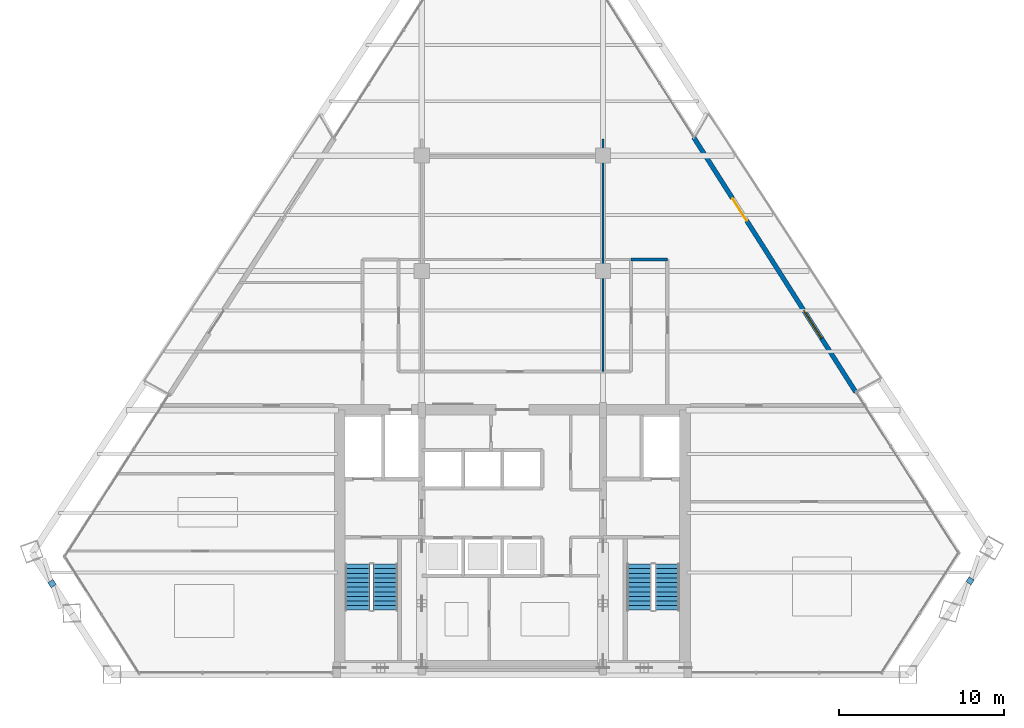
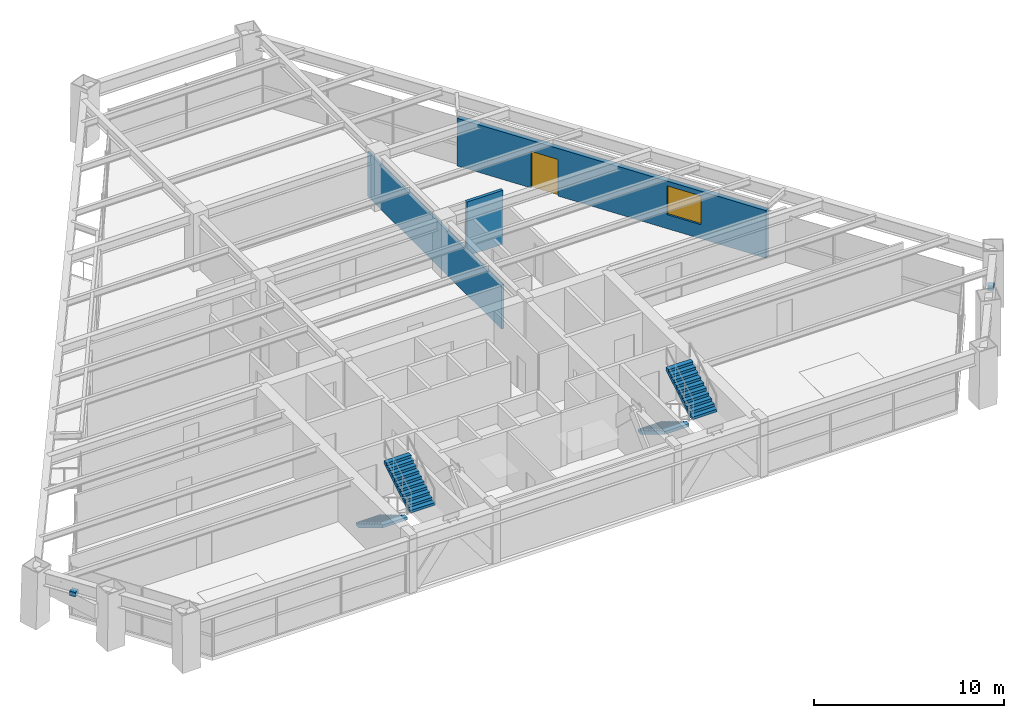
# One storey, part 13 of 16: 4 stair flights, 3 walls, 2 discrete accessories, 1 door, 1 window, 2 openings, 2 elements without a shape of their own.
"""IFC4 building model written with IfcOpenShell, lengths in metres."""

from ifc_helpers import new_model, si_unit, direction, frame, frame_2d, origin, origin_2d, place, context, subcontext, project, spatial, polyline, rectangle, outline, extrude, source, transform, mapped, material, layer, layer_set, type_object, type_shapes, element, fill, aggregate, save


model = new_model("IFC4")

# Units and contexts
model_context = context("Model", 3, precision=1e-05, world=origin(), true_north=direction((0.0, 1.0)))
body_context = subcontext(model_context, "Body", "Model", "MODEL_VIEW")
ifc_project = project(units=[si_unit("LENGTHUNIT", "METRE"), si_unit("AREAUNIT", "SQUARE_METRE"), si_unit("VOLUMEUNIT", "CUBIC_METRE"), si_unit("PLANEANGLEUNIT", "RADIAN"), si_unit("MASSUNIT", "GRAM", prefix="KILO")], contexts=[model_context])

# Site, building, storey
site_placement = place(None, origin())
site = spatial("IfcSite", under=ifc_project, at=site_placement, CompositionType="ELEMENT")
building_placement = place(site_placement, origin())
building = spatial("IfcBuilding", under=site, at=building_placement, Name="Varnakhor Terracotta Tower", CompositionType="ELEMENT")
storey_placement = place(building_placement, frame((0.0, 0.0, 151.5)))
storey = spatial("IfcBuildingStorey", under=building, at=storey_placement, Name="L38", CompositionType="ELEMENT", Elevation=151.5)

# Wall
ifc_material_1 = material(Name="Fire-Rated Gypsum Stud Partition", Category="gypsum")
ifc_layer_1 = layer(ifc_material_1, 0.18505859375, Name="Fire-Rated Gypsum Stud Partition")
ifc_layer_set_1 = layer_set([ifc_layer_1], Name="Fire-Rated Gypsum Stud Partition")
wall_type_1 = type_object("IfcWallType", Name="WAL-CORR-185", PredefinedType="PARTITIONING", material=ifc_layer_set_1)
wall_1_placement = place(storey_placement, frame((7.199951171875, 25.199951171875, 0.0), z_axis=(0.0, 0.0, 1.0), x_axis=(1.0, 0.0, 0.0)))
element("IfcWall", 1, at=wall_1_placement, inside=storey, type_object=wall_type_1, Name="L38 East Gallery North End", PredefinedType="PARTITIONING", context=body_context, shape_type="SweptSolid", body=[
    extrude(rectangle(XDim=2.199951171875, YDim=0.18505859375, at=frame_2d((1.10009765625, 0.0))), origin(), (0.0, 0.0, 1.0), 3.4619140625),
])

# Wall, openings, door, window
ifc_material_2 = material(Name="Extruded Architectural Terracotta Assembly", Category="masonry")
ifc_layer_2 = layer(ifc_material_2, 0.280029296875, Name="Extruded Architectural Terracotta Assembly")
ifc_layer_set_2 = layer_set([ifc_layer_2], Name="Extruded Architectural Terracotta Assembly")
wall_type_2 = type_object("IfcWallType", Name="WAL-EXT-TERRACOTTA-280", PredefinedType="SOLIDWALL", material=ifc_layer_set_2)
wall_2_placement = place(storey_placement, frame((11.00439453125, 32.607177734375, 0.0), z_axis=(0.0, 0.0, 1.0), x_axis=(0.536776323973, -0.843724586593, 0.0)))
wall_2 = element("IfcWall", 2, at=wall_2_placement, inside=storey, type_object=wall_type_2, Name="L38 E Loggia Insulated Terracotta Wall", PredefinedType="SOLIDWALL", context=body_context, shape_type="SweptSolid", body=[
    extrude(rectangle(XDim=18.320068359375, YDim=0.280029296875, at=frame_2d((9.16015625, 0.0))), origin(), (0.0, 0.0, 1.0), 3.050048828125),
])
opening_1_placement = place(wall_2_placement, frame((4.396728515625, 0.0, 0.0)))
opening_1 = element("IfcOpeningElement", 3, at=opening_1_placement, cuts=wall_2, Name="Opening DR-62", PredefinedType="OPENING", context=body_context, shape_type="SweptSolid", body=[
    extrude(rectangle(XDim=1.60009765625, YDim=2.35009765625, at=frame_2d((0.800048828125, 1.175048828125))), frame((0.0, 0.14990234375, 0.0), z_axis=(0.0, -1.0, 0.0), x_axis=(1.0, 0.0, 0.0)), (0.0, 0.0, 1.0), 0.300048828125),
])
opening_2_placement = place(wall_2_placement, frame((12.45751953125, 0.0, 0.89990234375)))
opening_2 = element("IfcOpeningElement", 4, at=opening_2_placement, cuts=wall_2, Name="Opening WN-26", PredefinedType="OPENING", context=body_context, shape_type="SweptSolid", body=[
    extrude(rectangle(XDim=2.0, YDim=1.85009765625, at=frame_2d((1.0, 0.925048828125))), frame((0.0, 0.14990234375, 0.0), z_axis=(0.0, -1.0, 0.0), x_axis=(1.0, 0.0, 0.0)), (0.0, 0.0, 1.0), 0.300048828125),
])
ifc_material_3 = material(Name="Thermally Broken Sliding Glass Loggia Door", Category="glass")
door_type = type_object("IfcDoorType", Name="DR-EXT-LOGGIA-1600X2350", OperationType="NOTDEFINED", PredefinedType="DOOR", material=ifc_material_3)
shared_shape_1 = source(origin(), body_context, "Body", "SweptSolid", [
    extrude(rectangle(XDim=1.60009765625, YDim=2.35009765625, at=frame_2d((0.800048828125, 1.175048828125))), frame((0.0, 0.02490234375, 0.0), z_axis=(0.0, -1.0, 0.0), x_axis=(1.0, 0.0, 0.0)), (0.0, 0.0, 1.0), 0.050048828125),
])
type_shapes(door_type, [shared_shape_1])
door_placement = place(opening_1_placement, origin())
door = element("IfcDoor", 5, at=door_placement, inside=storey, type_object=door_type, Name="L38 E Recessed Loggia Sliding Door", OperationType="SLIDING_TO_RIGHT", OverallHeight=2.35009765625, OverallWidth=1.60009765625, PredefinedType="DOOR", context=body_context, shape_type="MappedRepresentation", body=[
    mapped(shared_shape_1, transform((0.0, 0.0, 0.0), scale=1.0)),
])
fill(opening_1, door)
ifc_material_4 = material(Name="Solar-Control Low-E Insulated Glass Unit", Category="glass")
window_type = type_object("IfcWindowType", Name="WIN-OFF-2200X2100", PartitioningType="SINGLE_PANEL", PredefinedType="WINDOW", material=ifc_material_4)
shared_shape_2 = source(origin(), body_context, "Body", "SweptSolid", [
    extrude(rectangle(XDim=2.0, YDim=1.85009765625, at=frame_2d((1.0, 0.925048828125))), frame((0.0, 0.030029296875, 0.0), z_axis=(0.0, -1.0, 0.0), x_axis=(1.0, 0.0, 0.0)), (0.0, 0.0, 1.0), 0.06005859375),
])
type_shapes(window_type, [shared_shape_2])
window_placement = place(opening_2_placement, origin())
window = element("IfcWindow", 6, at=window_placement, inside=storey, type_object=window_type, Name="L38 E Facet Punched Window", OverallHeight=1.85009765625, OverallWidth=2.0, PartitioningType="SINGLE_PANEL", PredefinedType="WINDOW", context=body_context, shape_type="MappedRepresentation", body=[
    mapped(shared_shape_2, transform((0.0, 0.0, 0.0), scale=1.0)),
])
fill(opening_2, window)

# Wall
ifc_material_5 = material(Name="Acoustic Metal-Stud Partition", Category="gypsum")
ifc_layer_3 = layer(ifc_material_5, 0.139892578125, Name="Acoustic Metal-Stud Partition")
ifc_layer_set_3 = layer_set([ifc_layer_3], Name="Acoustic Metal-Stud Partition")
wall_type_3 = type_object("IfcWallType", Name="WAL-PART-140", PredefinedType="PARTITIONING", material=ifc_layer_set_3)
wall_3_placement = place(storey_placement, frame((5.5, 18.39990234375, 0.0), z_axis=(0.0, 0.0, 1.0), x_axis=(0.0, 1.0, 0.0)))
element("IfcWall", 7, at=wall_3_placement, inside=storey, type_object=wall_type_3, Name="L38 Center East Column Wall", PredefinedType="PARTITIONING", context=body_context, shape_type="SweptSolid", body=[
    extrude(rectangle(XDim=14.10009765625, YDim=0.139892578125, at=frame_2d((7.050048828125, 0.0))), origin(), (0.0, 0.0, 1.0), 2.845947265625),
])

# Stair, stair flights
ifc_material_6 = material(Name="Concrete C40/50", Category="concrete")
stair_type = type_object("IfcStairType", Name="STR-CORE-OFFICE-1500", PredefinedType="HALF_TURN_STAIR", material=ifc_material_6)
stair_1_placement = place(storey_placement, origin())
stair_1 = element("IfcStair", 8, at=stair_1_placement, inside=storey, type_object=stair_type, Name="L38 Core Exit Stair ST-1", PredefinedType="HALF_TURN_STAIR")
stair_flight_type = type_object("IfcStairFlightType", Name="FLT-CORE-1500", PredefinedType="STRAIGHT", material=ifc_material_6)
stair_flight_1_placement = place(storey_placement, frame((-9.39990234375, 6.7099609375, 0.0), z_axis=(0.0, 0.0, 1.0), x_axis=(0.0, -1.0, 0.0)))
stair_flight_1 = element("IfcStairFlight", 9, at=stair_flight_1_placement, type_object=stair_flight_type, Name="ST-1 flight 1", NumberOfRisers=11, NumberOfTreads=10, PredefinedType="STRAIGHT", RiserHeight=0.168181818, TreadLength=0.28, context=body_context, shape_type="SweptSolid", body=[
    extrude(outline(polyline([(0.0, 0.0), (0.0, 0.168212890625), (0.280029296875, 0.168212890625), (0.280029296875, 0.33642578125), (0.56005859375, 0.33642578125), (0.56005859375, 0.504638671875), (0.840087890625, 0.504638671875), (0.840087890625, 0.672607421875), (1.1201171875, 0.672607421875), (1.1201171875, 0.8408203125), (1.39990234375, 0.8408203125), (1.39990234375, 1.009033203125), (1.679931640625, 1.009033203125), (1.679931640625, 1.17724609375), (1.9599609375, 1.17724609375), (1.9599609375, 1.345458984375), (2.239990234375, 1.345458984375), (2.239990234375, 1.513671875), (2.52001953125, 1.513671875), (2.52001953125, 1.681884765625), (2.800048828125, 1.681884765625), (2.800048828125, 1.85009765625), (2.800048828125, 1.495361328125), (0.310546875, 0.0), (0.0, 0.0)])), frame((0.0, 0.75, 0.0), z_axis=(0.0, -1.0, 0.0), x_axis=(1.0, 0.0, 0.0)), (0.0, 0.0, 1.0), 1.5),
])
stair_flight_2_placement = place(storey_placement, frame((-7.699951171875, 3.909912109375, 1.85009765625), z_axis=(0.0, 0.0, 1.0), x_axis=(0.0, 1.0, 0.0)))
stair_flight_2 = element("IfcStairFlight", 10, at=stair_flight_2_placement, type_object=stair_flight_type, Name="ST-1 flight 2", NumberOfRisers=11, NumberOfTreads=10, PredefinedType="STRAIGHT", RiserHeight=0.168181818, TreadLength=0.28, context=body_context, shape_type="SweptSolid", body=[
    extrude(outline(polyline([(0.0, 0.0), (0.0, 0.168212890625), (0.280029296875, 0.168212890625), (0.280029296875, 0.33642578125), (0.56005859375, 0.33642578125), (0.56005859375, 0.504638671875), (0.840087890625, 0.504638671875), (0.840087890625, 0.672607421875), (1.1201171875, 0.672607421875), (1.1201171875, 0.8408203125), (1.39990234375, 0.8408203125), (1.39990234375, 1.009033203125), (1.679931640625, 1.009033203125), (1.679931640625, 1.17724609375), (1.9599609375, 1.17724609375), (1.9599609375, 1.345458984375), (2.239990234375, 1.345458984375), (2.239990234375, 1.513671875), (2.52001953125, 1.513671875), (2.52001953125, 1.681884765625), (2.800048828125, 1.681884765625), (2.800048828125, 1.85009765625), (2.800048828125, 1.495361328125), (0.310546875, 0.0), (0.0, 0.0)])), frame((0.0, 0.75, 0.0), z_axis=(0.0, -1.0, 0.0), x_axis=(1.0, 0.0, 0.0)), (0.0, 0.0, 1.0), 1.5),
])
aggregate(stair_1, [stair_flight_1, stair_flight_2])

stair_2_placement = place(storey_placement, origin())
stair_2 = element("IfcStair", 11, at=stair_2_placement, inside=storey, type_object=stair_type, Name="L38 Core Exit Stair ST-2", PredefinedType="HALF_TURN_STAIR")
stair_flight_3_placement = place(storey_placement, frame((7.699951171875, 6.7099609375, 0.0), z_axis=(0.0, 0.0, 1.0), x_axis=(0.0, -1.0, 0.0)))
stair_flight_3 = element("IfcStairFlight", 12, at=stair_flight_3_placement, type_object=stair_flight_type, Name="ST-2 flight 1", NumberOfRisers=11, NumberOfTreads=10, PredefinedType="STRAIGHT", RiserHeight=0.168181818, TreadLength=0.28, context=body_context, shape_type="SweptSolid", body=[
    extrude(outline(polyline([(0.0, 0.0), (0.0, 0.168212890625), (0.280029296875, 0.168212890625), (0.280029296875, 0.33642578125), (0.56005859375, 0.33642578125), (0.56005859375, 0.504638671875), (0.840087890625, 0.504638671875), (0.840087890625, 0.672607421875), (1.1201171875, 0.672607421875), (1.1201171875, 0.8408203125), (1.39990234375, 0.8408203125), (1.39990234375, 1.009033203125), (1.679931640625, 1.009033203125), (1.679931640625, 1.17724609375), (1.9599609375, 1.17724609375), (1.9599609375, 1.345458984375), (2.239990234375, 1.345458984375), (2.239990234375, 1.513671875), (2.52001953125, 1.513671875), (2.52001953125, 1.681884765625), (2.800048828125, 1.681884765625), (2.800048828125, 1.85009765625), (2.800048828125, 1.495361328125), (0.310546875, 0.0), (0.0, 0.0)])), frame((0.0, 0.75, 0.0), z_axis=(0.0, -1.0, 0.0), x_axis=(1.0, 0.0, 0.0)), (0.0, 0.0, 1.0), 1.5),
])
stair_flight_4_placement = place(storey_placement, frame((9.39990234375, 3.909912109375, 1.85009765625), z_axis=(0.0, 0.0, 1.0), x_axis=(0.0, 1.0, 0.0)))
stair_flight_4 = element("IfcStairFlight", 13, at=stair_flight_4_placement, type_object=stair_flight_type, Name="ST-2 flight 2", NumberOfRisers=11, NumberOfTreads=10, PredefinedType="STRAIGHT", RiserHeight=0.168181818, TreadLength=0.28, context=body_context, shape_type="SweptSolid", body=[
    extrude(outline(polyline([(0.0, 0.0), (0.0, 0.168212890625), (0.280029296875, 0.168212890625), (0.280029296875, 0.33642578125), (0.56005859375, 0.33642578125), (0.56005859375, 0.504638671875), (0.840087890625, 0.504638671875), (0.840087890625, 0.672607421875), (1.1201171875, 0.672607421875), (1.1201171875, 0.8408203125), (1.39990234375, 0.8408203125), (1.39990234375, 1.009033203125), (1.679931640625, 1.009033203125), (1.679931640625, 1.17724609375), (1.9599609375, 1.17724609375), (1.9599609375, 1.345458984375), (2.239990234375, 1.345458984375), (2.239990234375, 1.513671875), (2.52001953125, 1.513671875), (2.52001953125, 1.681884765625), (2.800048828125, 1.681884765625), (2.800048828125, 1.85009765625), (2.800048828125, 1.495361328125), (0.310546875, 0.0), (0.0, 0.0)])), frame((0.0, 0.75, 0.0), z_axis=(0.0, -1.0, 0.0), x_axis=(1.0, 0.0, 0.0)), (0.0, 0.0, 1.0), 1.5),
])
aggregate(stair_2, [stair_flight_3, stair_flight_4])

# Discrete accessories
ifc_material_7 = material(Name="Stainless Steel Fixing Bracket", Category="steel")
discrete_accessory_type = type_object("IfcDiscreteAccessoryType", Name="BRACKET-TERRACOTTA-SCREEN", PredefinedType="BRACKET", material=ifc_material_7)
shared_shape_3 = source(origin(), body_context, "Body", "SweptSolid", [
    extrude(rectangle(XDim=0.35009765625, YDim=0.35009765625, at=origin_2d()), origin(), (0.0, 0.0, 1.0), 0.280029296875),
])
type_shapes(discrete_accessory_type, [shared_shape_3])
for number, where, z_axis, x_axis, name in (
    (14, (27.7783203125, 5.69677734375, 2.48486328125), (0.0, 0.0, 1.0), (0.54911034053, 0.83574986325, 0.0), "L38 E Screen Fixing Bracket"),
    (15, (-27.9365234375, 5.52587890625, 2.48486328125), (0.0, 0.0, 1.0), (0.546145823115, -0.83769012164, 0.0), "L38 W Screen Fixing Bracket"),
):
    element("IfcDiscreteAccessory", number, at=place(storey_placement, frame(where, z_axis=z_axis, x_axis=x_axis)), inside=storey, type_object=discrete_accessory_type, Name=name, PredefinedType="BRACKET", context=body_context, shape_type="MappedRepresentation", body=[
        mapped(shared_shape_3, transform((0.0, 0.0, 0.0), scale=1.0)),
    ])

save(model, "model.ifc")
